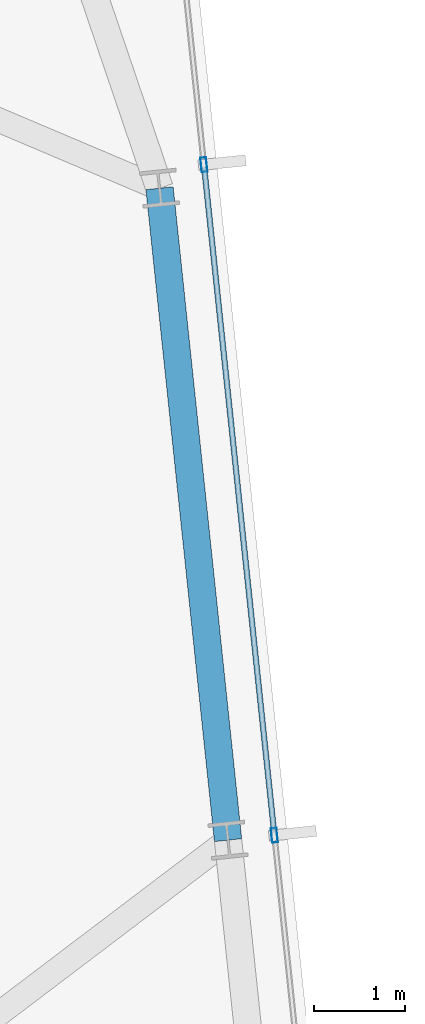
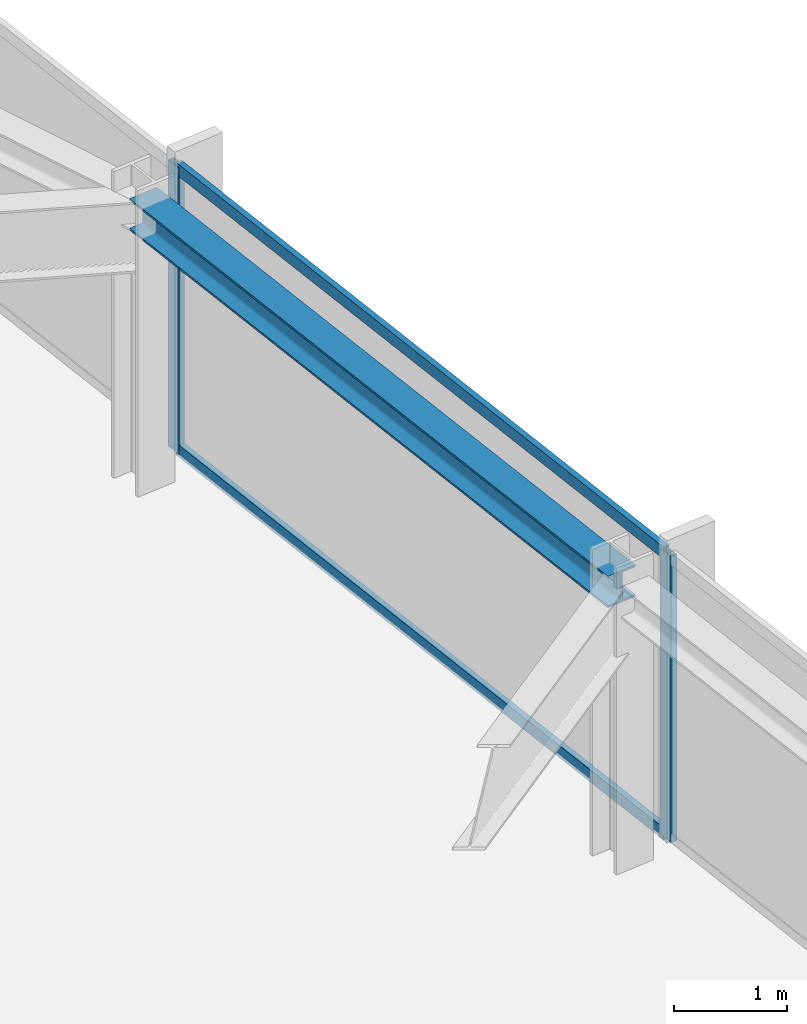
# One storey, part 19 of 33: 4 members, 1 beam, 1 element without a shape of its own.
"""IFC4 building model written with IfcOpenShell, lengths in metres."""

from ifc_helpers import new_model, si_unit, direction, frame, origin, origin_2d, place, context, subcontext, project, spatial, hollow_rectangle, i_section, extrude, material, material_profile, profile_set, type_object, element, aggregate, save


model = new_model("IFC4")

# Units and contexts
model_context = context("Model", 3, precision=1e-05, world=origin(), true_north=direction((0.0, 1.0)))
body_context = subcontext(model_context, "Body", "Model", "MODEL_VIEW")
ifc_project = project(units=[si_unit("LENGTHUNIT", "METRE"), si_unit("AREAUNIT", "SQUARE_METRE"), si_unit("VOLUMEUNIT", "CUBIC_METRE"), si_unit("PLANEANGLEUNIT", "RADIAN"), si_unit("MASSUNIT", "GRAM", prefix="KILO")], contexts=[model_context])

# Site, building, storey
site_placement = place(None, origin())
site = spatial("IfcSite", under=ifc_project, at=site_placement, CompositionType="ELEMENT")
building_placement = place(site_placement, origin())
building = spatial("IfcBuilding", under=site, at=building_placement, Name="Yelkora Congress Tower", CompositionType="ELEMENT")
storey_placement = place(building_placement, frame((0.0, 0.0, 230.89990234375)))
storey = spatial("IfcBuildingStorey", under=building, at=storey_placement, Name="L64", CompositionType="ELEMENT", Elevation=230.89990234375)

# Beam
ifc_material_1 = material(Name="Steel S355J2", Category="steel")
ifc_material_profile_1 = material_profile(ifc_material_1, i_section(OverallWidth=0.300048828125, OverallDepth=0.340087890625, WebThickness=0.011962890625, FlangeThickness=0.021484375, FilletRadius=0.027099609375, at=origin_2d()), Name="HEB 340")
ifc_profile_set_1 = profile_set([ifc_material_profile_1], Name="Steel S355J2")
beam_type = type_object("IfcBeamType", Name="BM-SPAN-HEB340", PredefinedType="SPANDREL", material=ifc_profile_set_1)
beam_placement = place(storey_placement, frame((69.60400390625, 34.296142578125, 2.91015625), z_axis=(-0.104528914631, 0.994521847928, 0.0), x_axis=(-0.994521847928, -0.104528914631, 0.0)))
element("IfcBeam", 1, at=beam_placement, inside=storey, type_object=beam_type, Name="L64 Perimeter Beam 11", PredefinedType="SPANDREL", context=body_context, shape_type="SweptSolid", body=[
    extrude(i_section(OverallWidth=0.300048828125, OverallDepth=0.340087890625, WebThickness=0.011962890625, FlangeThickness=0.021484375, FilletRadius=0.027099609375, at=origin_2d()), origin(), (0.0, 0.0, 1.0), 7.175048828125),
])

# Curtain wall, members
ifc_material_2 = material(Name="Anodised aluminium and insulated glass", Category="aluminium")
curtain_wall_type = type_object("IfcCurtainWallType", Name="CW-SYS-B4", PredefinedType="NOTDEFINED", material=ifc_material_2)
curtain_wall_placement = place(storey_placement, origin())
curtain_wall = element("IfcCurtainWall", 2, at=curtain_wall_placement, inside=storey, type_object=curtain_wall_type, Name="L64 Unitised Curtain Wall 15", PredefinedType="NOTDEFINED")
ifc_material_3 = material(Name="Anodised aluminium 6063-T6", Category="aluminium")
ifc_material_profile_2 = material_profile(ifc_material_3, hollow_rectangle(XDim=0.06494140625, YDim=0.159912109375, WallThickness=0.00390625, at=origin_2d()), Name="ALU 65x160x4")
ifc_profile_set_2 = profile_set([ifc_material_profile_2], Name="Anodised aluminium 6063-T6")
member_type_1 = type_object("IfcMemberType", Name="MEM-ML-B4", PredefinedType="MULLION", material=ifc_profile_set_2)
member_1_placement = place(storey_placement, frame((69.33984375, 41.68896484375, 0.0), z_axis=(0.0, 0.0, 1.0), x_axis=(0.994522182968, 0.104525726898, 0.0)))
member_1 = element("IfcMember", 3, at=member_1_placement, type_object=member_type_1, Name="CW-B4 mullion 2", PredefinedType="MULLION", context=body_context, shape_type="SweptSolid", body=[
    extrude(hollow_rectangle(XDim=0.06494140625, YDim=0.159912109375, WallThickness=0.00390625, at=origin_2d()), origin(), (0.0, 0.0, 1.0), 3.080078125),
])
member_2_placement = place(storey_placement, frame((70.111083984375, 34.349365234375, 0.0), z_axis=(0.0, 0.0, 1.0), x_axis=(0.994522182968, 0.104525726898, 0.0)))
member_2 = element("IfcMember", 4, at=member_2_placement, type_object=member_type_1, Name="CW-B4 mullion 3", PredefinedType="MULLION", context=body_context, shape_type="SweptSolid", body=[
    extrude(hollow_rectangle(XDim=0.06494140625, YDim=0.159912109375, WallThickness=0.00390625, at=origin_2d()), origin(), (0.0, 0.0, 1.0), 3.080078125),
])
ifc_material_profile_3 = material_profile(ifc_material_3, hollow_rectangle(XDim=0.06005859375, YDim=0.1298828125, WallThickness=0.00390625, at=origin_2d()), Name="ALU 60x130x4")
ifc_profile_set_3 = profile_set([ifc_material_profile_3], Name="Anodised aluminium 6063-T6")
member_type_2 = type_object("IfcMemberType", Name="MEM-TR-B4", PredefinedType="USERDEFINED", material=ifc_profile_set_3)
member_3_placement = place(storey_placement, frame((69.34326171875, 41.65673828125, 0.030029296875), z_axis=(0.104531896307, -0.994521534535, 0.0), x_axis=(0.994521534535, 0.104531896307, 0.0)))
member_3 = element("IfcMember", 5, at=member_3_placement, type_object=member_type_2, Name="CW-B4 transom 2.1", ObjectType="TRANSOM", PredefinedType="USERDEFINED", context=body_context, shape_type="SweptSolid", body=[
    extrude(hollow_rectangle(XDim=0.06005859375, YDim=0.1298828125, WallThickness=0.00390625, at=origin_2d()), origin(), (0.0, 0.0, 1.0), 7.31494140625),
])
member_4_placement = place(storey_placement, frame((69.34326171875, 41.65673828125, 3.050048828125), z_axis=(0.104531896307, -0.994521534535, 0.0), x_axis=(0.994521534535, 0.104531896307, 0.0)))
member_4 = element("IfcMember", 6, at=member_4_placement, type_object=member_type_2, Name="CW-B4 transom 2.2", ObjectType="TRANSOM", PredefinedType="USERDEFINED", context=body_context, shape_type="SweptSolid", body=[
    extrude(hollow_rectangle(XDim=0.06005859375, YDim=0.1298828125, WallThickness=0.00390625, at=origin_2d()), origin(), (0.0, 0.0, 1.0), 7.31494140625),
])
aggregate(curtain_wall, [member_1, member_2, member_3, member_4])

save(model, "model.ifc")
